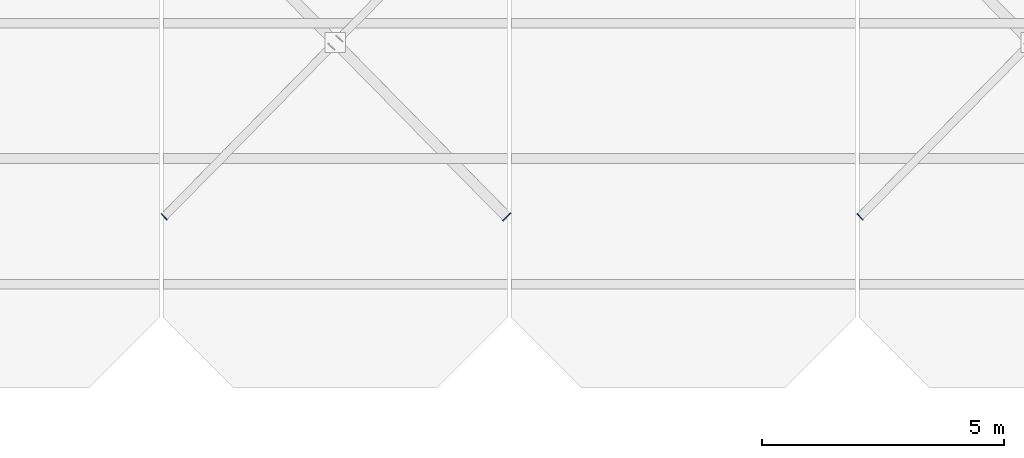
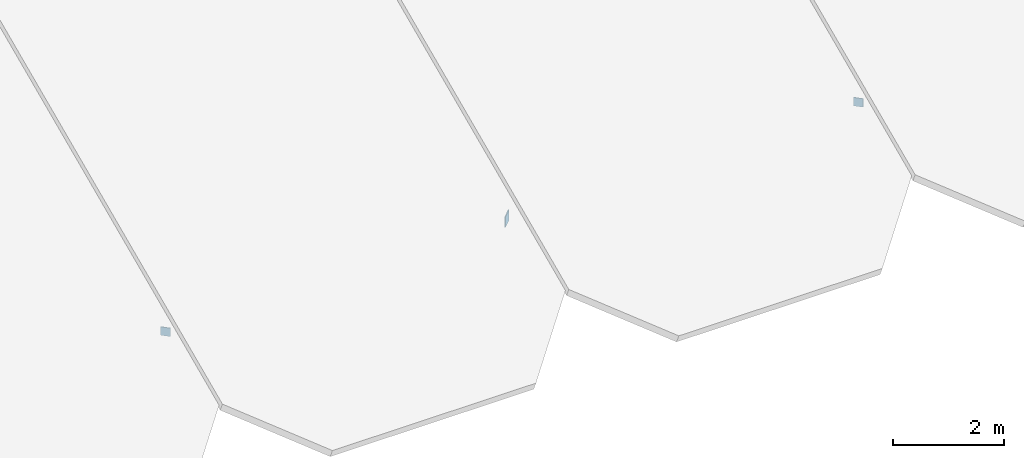
# One storey, part 32 of 54: 3 plates.
"""IFC4 building model written with IfcOpenShell, lengths in metres."""

from ifc_helpers import new_model, si_unit, direction, frame, origin, origin_2d, place, context, subcontext, project, spatial, rectangle, extrude, material, layer, layer_set, type_object, element, save


model = new_model("IFC4")

# Units and contexts
model_context = context("Model", 3, precision=1e-05, world=origin(), true_north=direction((0.0, 1.0)))
body_context = subcontext(model_context, "Body", "Model", "MODEL_VIEW")
ifc_project = project(units=[si_unit("LENGTHUNIT", "METRE"), si_unit("AREAUNIT", "SQUARE_METRE"), si_unit("VOLUMEUNIT", "CUBIC_METRE"), si_unit("PLANEANGLEUNIT", "RADIAN"), si_unit("MASSUNIT", "GRAM", prefix="KILO")], contexts=[model_context])

# Site, building, storey
site_placement = place(None, origin())
site = spatial("IfcSite", under=ifc_project, at=site_placement, CompositionType="ELEMENT")
building_placement = place(site_placement, origin())
building = spatial("IfcBuilding", under=site, at=building_placement, Name="Koriwan Promenade Central Fire Station", CompositionType="ELEMENT")
storey_placement = place(building_placement, frame((0.0, 0.0, 9.60009765625)))
storey = spatial("IfcBuildingStorey", under=building, at=storey_placement, Name="L02", CompositionType="ELEMENT", Elevation=9.60009765625)

# Plates
ifc_material = material(Name="Steel ASTM A572 Grade 50", Category="steel")
ifc_layer_1 = layer(ifc_material, 0.01611328125, Name="Steel ASTM A572 Grade 50")
ifc_layer_set_1 = layer_set([ifc_layer_1], Name="Steel ASTM A572 Grade 50")
plate_type_1 = type_object("IfcPlateType", Name="EndCap_CHS168", PredefinedType="SHEET", material=ifc_layer_set_1)
for number, where, z_axis, x_axis, name in (
    (1, (64.854736328125, 46.794677734375, 0.885009765625), (0.0, 0.0, 1.0), (0.701158192968, 0.713005742217, 0.0), "V1 roof wind brace 2A south half end cap 1"),
    (2, (79.254638671875, 46.794677734375, 0.885009765625), (0.0, 0.0, 1.0), (0.701158192968, 0.713005742217, 0.0), "V1 roof wind brace 4A south half end cap 1"),
):
    element("IfcPlate", number, at=place(storey_placement, frame(where, z_axis=z_axis, x_axis=x_axis)), inside=storey, type_object=plate_type_1, Name=name, PredefinedType="SHEET", context=body_context, shape_type="SweptSolid", body=[
        extrude(rectangle(XDim=0.01611328125, YDim=0.18505859375, at=origin_2d()), origin(), (0.0, 0.0, 1.0), 0.18505859375),
    ])
ifc_layer_2 = layer(ifc_material, 0.01806640625, Name="Steel ASTM A572 Grade 50")
ifc_layer_set_2 = layer_set([ifc_layer_2], Name="Steel ASTM A572 Grade 50")
plate_type_2 = type_object("IfcPlateType", Name="EndCap_CHS219", PredefinedType="SHEET", material=ifc_layer_set_2)
plate_placement = place(storey_placement, frame((71.946044921875, 46.7939453125, 0.85986328125), z_axis=(0.0, 0.0, 1.0), x_axis=(0.701158192968, -0.713005742217, 0.0)))
element("IfcPlate", 3, at=plate_placement, inside=storey, type_object=plate_type_2, Name="V1 roof wind brace 2B end cap 2", PredefinedType="SHEET", context=body_context, shape_type="SweptSolid", body=[
    extrude(rectangle(XDim=0.01806640625, YDim=0.235107421875, at=origin_2d()), origin(), (0.0, 0.0, 1.0), 0.235107421875),
])

save(model, "model.ifc")
